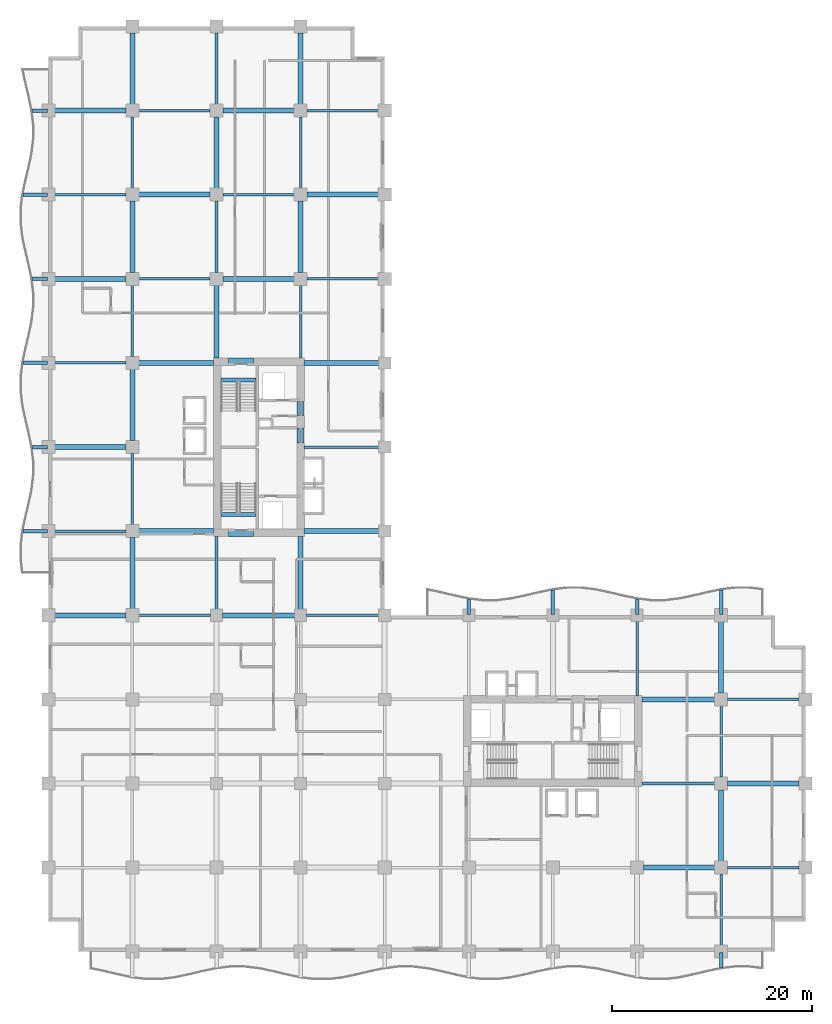
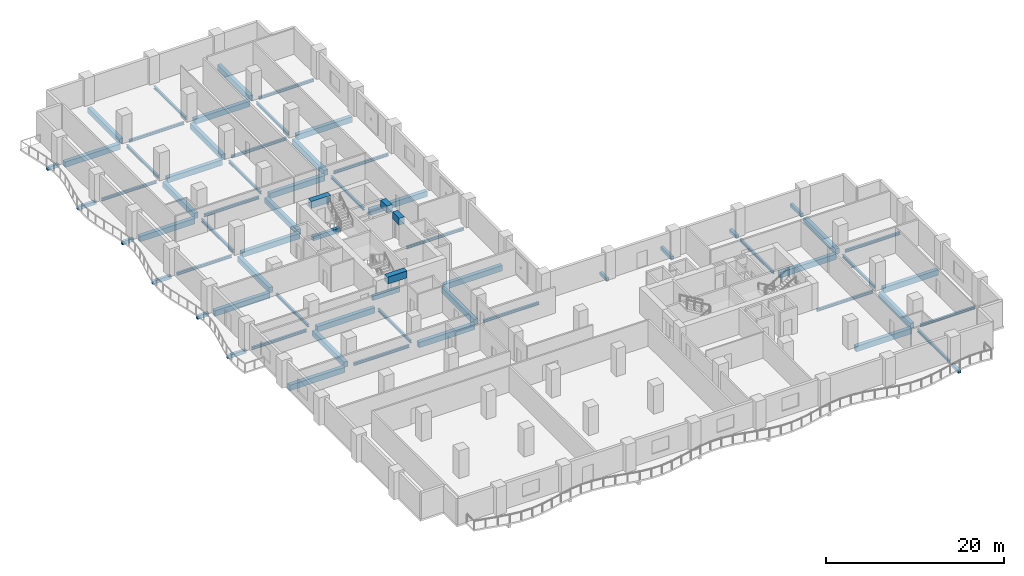
# One storey, part 2 of 15: 69 beams.
"""IFC4 building model written with IfcOpenShell, lengths in metres."""

import ifcopenshell
import ifcopenshell.guid

model = None  # the IFC model being written
_history = None  # IfcOwnerHistory: only IFC2X3 demands one
_inside = {}  # id of a spatial element -> (the spatial element, [elements in it])
_under = {}  # id of a project, library or spatial element -> (it, [spatial elements below it])
_declared = {}  # id of a project -> (the project, [libraries it declares])
_typed = {}  # id of a type object -> (the type object, [elements of that type])
_made_of = {}  # id of a material, layer set ... -> (it, [elements and type objects made of it])


def new_model(schema):
    """Start an empty IFC model of exactly this schema.

    Asked for "IFC4X3", IfcOpenShell would pick the latest addendum, in which some entities
    have other attributes; the version numbers below select the first issue.
    IFC2X3 requires an IfcOwnerHistory on every rooted entity: one is made here for all.
    """
    global model, _history
    if schema == "IFC4X3":
        model = ifcopenshell.file(schema_version=(4, 3, 0, 0))
    else:
        model = ifcopenshell.file(schema=schema)
    _inside.clear()
    _under.clear()
    _declared.clear()
    _typed.clear()
    _made_of.clear()
    _history = None
    if model.schema == "IFC2X3":
        org = make("IfcOrganization", Name="unknown")
        user = make(
            "IfcPersonAndOrganization",
            ThePerson=make("IfcPerson", FamilyName="unknown"),
            TheOrganization=org,
        )
        app = make(
            "IfcApplication",
            ApplicationDeveloper=org,
            Version="unknown",
            ApplicationFullName="unknown",
            ApplicationIdentifier="unknown",
        )
        _history = make(
            "IfcOwnerHistory",
            OwningUser=user,
            OwningApplication=app,
            ChangeAction="ADDED",
            CreationDate=0,
        )
    return model


def make(cls, **values):
    """One entity of the class cls with the attributes given. An attribute that is None is left unset."""
    return model.create_entity(
        cls, **{name: value for name, value in values.items() if value is not None}
    )


def rooted(cls, **values):
    """An entity with a GlobalId (a new one), such as an element, a storey or a relation."""
    return make(cls, GlobalId=ifcopenshell.guid.new(), OwnerHistory=_history, **values)


def si_unit(unit_type, name, prefix=None):
    """IfcSIUnit, for example si_unit("LENGTHUNIT", "METRE", prefix="MILLI")."""
    return make("IfcSIUnit", UnitType=unit_type, Prefix=prefix, Name=name)


def assignment(units):
    """IfcUnitAssignment: the units of a project."""
    return None if units is None else make("IfcUnitAssignment", Units=units)


def point(xyz):
    """IfcCartesianPoint."""
    return None if xyz is None else make("IfcCartesianPoint", Coordinates=xyz)


def direction(xyz):
    """IfcDirection."""
    return None if xyz is None else make("IfcDirection", DirectionRatios=xyz)


def frame(location, z_axis=None, x_axis=None):
    """IfcAxis2Placement3D, a coordinate frame: its origin and axes. An axis left out is left unset."""
    return make(
        "IfcAxis2Placement3D",
        Location=point(location),
        Axis=direction(z_axis),
        RefDirection=direction(x_axis),
    )


def frame_2d(location, x_axis=None):
    """IfcAxis2Placement2D, a coordinate frame in the plane: its origin and x axis."""
    return make(
        "IfcAxis2Placement2D", Location=point(location), RefDirection=direction(x_axis)
    )


def origin():
    """The frame at (0, 0, 0) with its axes left unset."""
    return frame((0.0, 0.0, 0.0))


def origin_2d():
    """The frame at (0, 0) in the plane with its x axis left unset."""
    return frame_2d((0.0, 0.0))


def place(relative_to, where):
    """IfcLocalPlacement: puts the frame where relative to a parent placement (None: the world)."""
    return make(
        "IfcLocalPlacement", PlacementRelTo=relative_to, RelativePlacement=where
    )


def context(
    kind, dimensions, precision=None, world=None, true_north=None, identifier=None
):
    """IfcGeometricRepresentationContext, for example the 3D "Model" context."""
    return make(
        "IfcGeometricRepresentationContext",
        ContextIdentifier=identifier,
        ContextType=kind,
        CoordinateSpaceDimension=dimensions,
        Precision=precision,
        WorldCoordinateSystem=world,
        TrueNorth=true_north,
    )


def subcontext(parent, identifier, kind, view, scale=None):
    """IfcGeometricRepresentationSubContext, for example "Body" below "Model"."""
    return make(
        "IfcGeometricRepresentationSubContext",
        ContextIdentifier=identifier,
        ContextType=kind,
        ParentContext=parent,
        TargetScale=scale,
        TargetView=view,
    )


def project(units=None, contexts=None):
    """IfcProject with its units and contexts."""
    return rooted(
        "IfcProject",
        Name="project",
        RepresentationContexts=contexts,
        UnitsInContext=assignment(units),
    )


def spatial(cls, under=None, at=None, **own):
    """A site, building, storey or space (cls), placed at a placement, below another one or the project."""
    s = rooted(cls, ObjectPlacement=at, **own)
    if under is not None:
        _under.setdefault(under.id(), (under, []))[1].append(s)
    return s


def profile(cls, at=None, kind="AREA", **sizes):
    """A parametric profile (cls). Its sizes go by their IFC names, for example OverallWidth=200.0."""
    return make(cls, ProfileType=kind, Position=at, **sizes)


def rectangle(**sizes):
    """IfcRectangleProfileDef."""
    return profile("IfcRectangleProfileDef", **sizes)


def i_section(**sizes):
    """IfcIShapeProfileDef."""
    return profile("IfcIShapeProfileDef", **sizes)


def extrude(swept, where, along, depth):
    """IfcExtrudedAreaSolid: the profile swept, set in the frame where, extruded along a direction by depth."""
    return make(
        "IfcExtrudedAreaSolid",
        SweptArea=swept,
        Position=where,
        ExtrudedDirection=direction(along),
        Depth=depth,
    )


def shape(context_of_items, identifier, shape_type, items):
    """IfcShapeRepresentation: the items that make up one representation, for example the "Body"."""
    return make(
        "IfcShapeRepresentation",
        ContextOfItems=context_of_items,
        RepresentationIdentifier=identifier,
        RepresentationType=shape_type,
        Items=items,
    )


def material(Name=None, Category=None):
    """IfcMaterial."""
    return make("IfcMaterial", Name=Name, Category=Category)


def material_profile(
    of_material, cross_section, Name=None, Category=None, Priority=None
):
    """IfcMaterialProfile: a cross section and its material."""
    return make(
        "IfcMaterialProfile",
        Name=Name,
        Material=of_material,
        Profile=cross_section,
        Priority=Priority,
        Category=Category,
    )


def profile_set(profiles, Name=None, composite=None):
    """IfcMaterialProfileSet."""
    return make(
        "IfcMaterialProfileSet",
        Name=Name,
        MaterialProfiles=profiles,
        CompositeProfile=composite,
    )


def made_of(thing, what):
    """Note that an element or type object is made of a material, layer set ...; save() writes the relation."""
    if what is not None:
        _made_of.setdefault(what.id(), (what, []))[1].append(thing)
    return thing


def type_object(cls, material=None, **own):
    """A type object (cls), such as IfcWallType, which elements share."""
    return made_of(rooted(cls, **own), material)


def element(
    cls,
    number,
    at=None,
    inside=None,
    cuts=None,
    type_object=None,
    material=None,
    context=None,
    identifier="Body",
    shape_type=None,
    held_by="IfcProductDefinitionShape",
    body=None,
    shapes=None,
    **own,
):
    """One element of the class cls, such as IfcWall. Its Tag is "e" and its number.

    at: its placement. inside: the storey or other place that contains it. cuts: it is an
    opening in that element (IfcRelVoidsElement). A single representation is given by context,
    identifier, shape_type and body (its items); several are given by shapes. held_by: the class
    of the entity that holds the representations. save() writes the other relations.
    """
    e = rooted(cls, Tag="e%d" % number, ObjectPlacement=at, **own)
    if body is not None:
        shapes = [shape(context, identifier, shape_type, body)]
    if shapes is not None:
        e.Representation = make(held_by, Representations=shapes)
    if inside is not None:
        _inside.setdefault(inside.id(), (inside, []))[1].append(e)
    if cuts is not None:
        rooted(
            "IfcRelVoidsElement", RelatingBuildingElement=cuts, RelatedOpeningElement=e
        )
    if type_object is not None:
        _typed.setdefault(type_object.id(), (type_object, []))[1].append(e)
    return made_of(e, material)


def aggregate(whole, parts):
    """IfcRelAggregates: a whole, such as a stair, and the parts it consists of."""
    return rooted("IfcRelAggregates", RelatingObject=whole, RelatedObjects=parts)


def save(model, path):
    """Write the relations noted so far, then the file.

    IfcRelAggregates (storeys below a building ...), IfcRelContainedInSpatialStructure (elements
    in a storey), IfcRelDefinesByType, IfcRelAssociatesMaterial and IfcRelDeclares: one each for
    every whole, place, type object, material and project.
    """
    for whole, parts in _under.values():
        aggregate(whole, parts)
    for where, things in _inside.values():
        rooted(
            "IfcRelContainedInSpatialStructure",
            RelatedElements=things,
            RelatingStructure=where,
        )
    for kind, things in _typed.values():
        rooted("IfcRelDefinesByType", RelatedObjects=things, RelatingType=kind)
    for what, things in _made_of.values():
        rooted("IfcRelAssociatesMaterial", RelatedObjects=things, RelatingMaterial=what)
    for by, libraries in _declared.values():
        rooted("IfcRelDeclares", RelatingContext=by, RelatedDefinitions=libraries)
    model.write(path)


model = new_model("IFC4")

# Units and contexts
model_context = context("Model", 3, precision=1e-05, world=origin(), true_north=direction((0.0, 1.0)))
body_context = subcontext(model_context, "Body", "Model", "MODEL_VIEW")
ifc_project = project(units=[si_unit("LENGTHUNIT", "METRE"), si_unit("AREAUNIT", "SQUARE_METRE"), si_unit("VOLUMEUNIT", "CUBIC_METRE"), si_unit("PLANEANGLEUNIT", "RADIAN"), si_unit("MASSUNIT", "GRAM", prefix="KILO")], contexts=[model_context])

# Site, building, storey
site_placement = place(None, origin())
site = spatial("IfcSite", under=ifc_project, at=site_placement, CompositionType="ELEMENT")
building_placement = place(site_placement, origin())
building = spatial("IfcBuilding", under=site, at=building_placement, Name="Koriwani Terraces Tower", CompositionType="ELEMENT")
storey_placement = place(building_placement, frame((0.0, 0.0, 138.0)))
storey = spatial("IfcBuildingStorey", under=building, at=storey_placement, Name="L33", CompositionType="ELEMENT", Elevation=138.0)

# Beams
ifc_material_1 = material(Name="Concrete C40/50", Category="concrete")
ifc_material_profile_1 = material_profile(ifc_material_1, rectangle(XDim=0.35009765625, YDim=0.449951171875, at=origin_2d()), Name="Concrete C40/50", Category="LoadBearing")
ifc_profile_set_1 = profile_set([ifc_material_profile_1], Name="Concrete C40/50")
beam_type_1 = type_object("IfcBeamType", Name="BEAM_RC_BALCONY_RIB_350X450", PredefinedType="JOIST", material=ifc_profile_set_1)
beam_1_placement = place(storey_placement, frame((67.199951171875, -1.59033203125, -0.47509765625), z_axis=(0.0, 1.0, 0.0), x_axis=(-1.0, 0.0, 0.0)))
element("IfcBeam", 1, at=beam_1_placement, inside=storey, type_object=beam_type_1, Name="L33 Balcony Bracket Rib S-8", PredefinedType="JOIST", context=body_context, shape_type="SweptSolid", body=[
    extrude(rectangle(XDim=0.35009765625, YDim=0.449951171875, at=origin_2d()), origin(), (0.0, 0.0, 1.0), 1.490234375),
])
beam_2_placement = place(storey_placement, frame((-2.509521484375, 42.0, -0.47509765625), z_axis=(1.0, 0.0, 0.0), x_axis=(0.0, 1.0, 0.0)))
element("IfcBeam", 2, at=beam_2_placement, inside=storey, type_object=beam_type_1, Name="L33 Balcony Bracket Rib W-1", PredefinedType="JOIST", context=body_context, shape_type="SweptSolid", body=[
    extrude(rectangle(XDim=0.35009765625, YDim=0.449951171875, at=origin_2d()), origin(), (0.0, 0.0, 1.0), 2.409423828125),
])
beam_3_placement = place(storey_placement, frame((-1.59033203125, 50.39990234375, -0.47509765625), z_axis=(1.0, 0.0, 0.0), x_axis=(0.0, 1.0, 0.0)))
element("IfcBeam", 3, at=beam_3_placement, inside=storey, type_object=beam_type_1, Name="L33 Balcony Bracket Rib W-2", PredefinedType="JOIST", context=body_context, shape_type="SweptSolid", body=[
    extrude(rectangle(XDim=0.35009765625, YDim=0.449951171875, at=origin_2d()), origin(), (0.0, 0.0, 1.0), 1.490234375),
])
beam_4_placement = place(storey_placement, frame((-2.509521484375, 58.800048828125, -0.47509765625), z_axis=(1.0, 0.0, 0.0), x_axis=(0.0, 1.0, 0.0)))
element("IfcBeam", 4, at=beam_4_placement, inside=storey, type_object=beam_type_1, Name="L33 Balcony Bracket Rib W-3", PredefinedType="JOIST", context=body_context, shape_type="SweptSolid", body=[
    extrude(rectangle(XDim=0.35009765625, YDim=0.449951171875, at=origin_2d()), origin(), (0.0, 0.0, 1.0), 2.409423828125),
])
beam_5_placement = place(storey_placement, frame((-1.59033203125, 67.199951171875, -0.47509765625), z_axis=(1.0, 0.0, 0.0), x_axis=(0.0, 1.0, 0.0)))
element("IfcBeam", 5, at=beam_5_placement, inside=storey, type_object=beam_type_1, Name="L33 Balcony Bracket Rib W-4", PredefinedType="JOIST", context=body_context, shape_type="SweptSolid", body=[
    extrude(rectangle(XDim=0.35009765625, YDim=0.449951171875, at=origin_2d()), origin(), (0.0, 0.0, 1.0), 1.490234375),
])
beam_6_placement = place(storey_placement, frame((-2.509521484375, 75.60009765625, -0.47509765625), z_axis=(1.0, 0.0, 0.0), x_axis=(0.0, 1.0, 0.0)))
element("IfcBeam", 6, at=beam_6_placement, inside=storey, type_object=beam_type_1, Name="L33 Balcony Bracket Rib W-5", PredefinedType="JOIST", context=body_context, shape_type="SweptSolid", body=[
    extrude(rectangle(XDim=0.35009765625, YDim=0.449951171875, at=origin_2d()), origin(), (0.0, 0.0, 1.0), 2.409423828125),
])
beam_7_placement = place(storey_placement, frame((-1.59033203125, 84.0, -0.47509765625), z_axis=(1.0, 0.0, 0.0), x_axis=(0.0, 1.0, 0.0)))
element("IfcBeam", 7, at=beam_7_placement, inside=storey, type_object=beam_type_1, Name="L33 Balcony Bracket Rib W-6", PredefinedType="JOIST", context=body_context, shape_type="SweptSolid", body=[
    extrude(rectangle(XDim=0.35009765625, YDim=0.449951171875, at=origin_2d()), origin(), (0.0, 0.0, 1.0), 1.490234375),
])
beam_8_placement = place(storey_placement, frame((42.0, 33.699951171875, -0.47509765625), z_axis=(0.0, 1.0, 0.0), x_axis=(-1.0, 0.0, 0.0)))
element("IfcBeam", 8, at=beam_8_placement, inside=storey, type_object=beam_type_1, Name="L33 Balcony Bracket Rib NE-1", PredefinedType="JOIST", context=body_context, shape_type="SweptSolid", body=[
    extrude(rectangle(XDim=0.35009765625, YDim=0.449951171875, at=origin_2d()), origin(), (0.0, 0.0, 1.0), 1.490478515625),
])
beam_9_placement = place(storey_placement, frame((50.39990234375, 33.699951171875, -0.47509765625), z_axis=(0.0, 1.0, 0.0), x_axis=(-1.0, 0.0, 0.0)))
element("IfcBeam", 9, at=beam_9_placement, inside=storey, type_object=beam_type_1, Name="L33 Balcony Bracket Rib NE-2", PredefinedType="JOIST", context=body_context, shape_type="SweptSolid", body=[
    extrude(rectangle(XDim=0.35009765625, YDim=0.449951171875, at=origin_2d()), origin(), (0.0, 0.0, 1.0), 2.40966796875),
])
beam_10_placement = place(storey_placement, frame((58.800048828125, 33.699951171875, -0.47509765625), z_axis=(0.0, 1.0, 0.0), x_axis=(-1.0, 0.0, 0.0)))
element("IfcBeam", 10, at=beam_10_placement, inside=storey, type_object=beam_type_1, Name="L33 Balcony Bracket Rib NE-3", PredefinedType="JOIST", context=body_context, shape_type="SweptSolid", body=[
    extrude(rectangle(XDim=0.35009765625, YDim=0.449951171875, at=origin_2d()), origin(), (0.0, 0.0, 1.0), 1.490478515625),
])
beam_11_placement = place(storey_placement, frame((67.199951171875, 33.699951171875, -0.47509765625), z_axis=(0.0, 1.0, 0.0), x_axis=(-1.0, 0.0, 0.0)))
element("IfcBeam", 11, at=beam_11_placement, inside=storey, type_object=beam_type_1, Name="L33 Balcony Bracket Rib NE-4", PredefinedType="JOIST", context=body_context, shape_type="SweptSolid", body=[
    extrude(rectangle(XDim=0.35009765625, YDim=0.449951171875, at=origin_2d()), origin(), (0.0, 0.0, 1.0), 2.40966796875),
])
ifc_material_2 = material(Name="Concrete C60/75", Category="concrete")
ifc_material_profile_2 = material_profile(ifc_material_2, rectangle(XDim=0.699951171875, YDim=0.949951171875, at=origin_2d()), Name="Concrete C60/75", Category="LoadBearing")
ifc_profile_set_2 = profile_set([ifc_material_profile_2], Name="Concrete C60/75")
beam_type_2 = type_object("IfcBeamType", Name="BEAM_RC_COUPLING_700X950", PredefinedType="LINTEL", material=ifc_profile_set_2)
beam_12_placement = place(storey_placement, frame((25.199951171875, 50.800048828125, 3.074951171875), z_axis=(0.0, 1.0, 0.0), x_axis=(-1.0, 0.0, 0.0)))
element("IfcBeam", 12, at=beam_12_placement, inside=storey, type_object=beam_type_2, Name="L33 Core Coupling Lintel Beam WE1", PredefinedType="LINTEL", context=body_context, shape_type="SweptSolid", body=[
    extrude(rectangle(XDim=0.699951171875, YDim=0.949951171875, at=origin_2d()), origin(), (0.0, 0.0, 1.0), 1.47998046875),
])
beam_13_placement = place(storey_placement, frame((25.199951171875, 53.550048828125, 3.074951171875), z_axis=(0.0, 1.0, 0.0), x_axis=(-1.0, 0.0, 0.0)))
element("IfcBeam", 13, at=beam_13_placement, inside=storey, type_object=beam_type_2, Name="L33 Core Coupling Lintel Beam WE2", PredefinedType="LINTEL", context=body_context, shape_type="SweptSolid", body=[
    extrude(rectangle(XDim=0.699951171875, YDim=0.949951171875, at=origin_2d()), origin(), (0.0, 0.0, 1.0), 1.39990234375),
])
for number, where, z_axis, x_axis, name in (
    (14, (18.0, 41.824951171875, 3.074951171875), (1.0, 0.0, 0.0), (0.0, 1.0, 0.0), "L33 Core Coupling Lintel Beam WS"),
    (15, (18.0, 58.925048828125, 3.074951171875), (1.0, 0.0, 0.0), (0.0, 1.0, 0.0), "L33 Core Coupling Lintel Beam WN"),
):
    element("IfcBeam", number, at=place(storey_placement, frame(where, z_axis=z_axis, x_axis=x_axis)), inside=storey, type_object=beam_type_2, Name=name, PredefinedType="LINTEL", context=body_context, shape_type="SweptSolid", body=[
        extrude(rectangle(XDim=0.699951171875, YDim=0.949951171875, at=origin_2d()), origin(), (0.0, 0.0, 1.0), 2.5),
    ])
ifc_material_profile_3 = material_profile(ifc_material_1, rectangle(XDim=0.39990234375, YDim=0.60009765625, at=origin_2d()), Name="Concrete C40/50", Category="LoadBearing")
ifc_profile_set_3 = profile_set([ifc_material_profile_3], Name="Concrete C40/50")
beam_type_3 = type_object("IfcBeamType", Name="BEAM_RC_GRID_400X600", PredefinedType="BEAM", material=ifc_profile_set_3)
for number, where, z_axis, x_axis, name in (
    (16, (17.25, 43.655029296875, -0.300048828125), (1.0, 0.0, 0.0), (0.0, 1.0, 0.0), "L33 Stairwell Header Trimmer Beam ST-W1"),
    (17, (17.25, 57.094970703125, -0.300048828125), (1.0, 0.0, 0.0), (0.0, 1.0, 0.0), "L33 Stairwell Header Trimmer Beam ST-W2"),
):
    element("IfcBeam", number, at=place(storey_placement, frame(where, z_axis=z_axis, x_axis=x_axis)), inside=storey, type_object=beam_type_3, Name=name, PredefinedType="BEAM", context=body_context, shape_type="SweptSolid", body=[
        extrude(rectangle(XDim=0.39990234375, YDim=0.60009765625, at=origin_2d()), origin(), (0.0, 0.0, 1.0), 3.5),
    ])
ifc_material_3 = material(Name="Concrete C50/60", Category="concrete")
ifc_material_profile_4 = material_profile(ifc_material_3, rectangle(XDim=0.5, YDim=0.75, at=origin_2d()), Name="Concrete C50/60", Category="LoadBearing")
ifc_profile_set_4 = profile_set([ifc_material_profile_4], Name="Concrete C50/60")
beam_type_4 = type_object("IfcBeamType", Name="BEAM_RC_GRID_500X750", PredefinedType="BEAM", material=ifc_profile_set_4)
beam_14_placement = place(storey_placement, frame((59.429931640625, 8.39990234375, -0.625), z_axis=(1.0, 0.0, 0.0), x_axis=(0.0, 1.0, 0.0)))
element("IfcBeam", 18, at=beam_14_placement, inside=storey, type_object=beam_type_4, Name="L33 Grid Beam B (58.8-67.2m)", PredefinedType="BEAM", context=body_context, shape_type="SweptSolid", body=[
    extrude(rectangle(XDim=0.5, YDim=0.75, at=origin_2d()), origin(), (0.0, 0.0, 1.0), 7.14013671875),
])
beam_15_placement = place(storey_placement, frame((67.830078125, 16.800048828125, -0.625), z_axis=(1.0, 0.0, 0.0), x_axis=(0.0, 1.0, 0.0)))
element("IfcBeam", 19, at=beam_15_placement, inside=storey, type_object=beam_type_4, Name="L33 Grid Beam C (67.2-75.6m)", PredefinedType="BEAM", context=body_context, shape_type="SweptSolid", body=[
    extrude(rectangle(XDim=0.5, YDim=0.75, at=origin_2d()), origin(), (0.0, 0.0, 1.0), 7.139892578125),
])
beam_16_placement = place(storey_placement, frame((59.280029296875, 25.199951171875, -0.625), z_axis=(1.0, 0.0, 0.0), x_axis=(0.0, 1.0, 0.0)))
element("IfcBeam", 20, at=beam_16_placement, inside=storey, type_object=beam_type_4, Name="L33 Grid Beam D (58.8-67.2m)", PredefinedType="BEAM", context=body_context, shape_type="SweptSolid", body=[
    extrude(rectangle(XDim=0.5, YDim=0.75, at=origin_2d()), origin(), (0.0, 0.0, 1.0), 7.2900390625),
])
beam_17_placement = place(storey_placement, frame((0.6298828125, 33.60009765625, -0.625), z_axis=(1.0, 0.0, 0.0), x_axis=(0.0, 1.0, 0.0)))
element("IfcBeam", 21, at=beam_17_placement, inside=storey, type_object=beam_type_4, Name="L33 Grid Beam E (0.0-8.4m)", PredefinedType="BEAM", context=body_context, shape_type="SweptSolid", body=[
    extrude(rectangle(XDim=0.5, YDim=0.75, at=origin_2d()), origin(), (0.0, 0.0, 1.0), 7.14013671875),
])
beam_18_placement = place(storey_placement, frame((17.3798828125, 33.60009765625, -0.625), z_axis=(1.0, 0.0, 0.0), x_axis=(0.0, 1.0, 0.0)))
element("IfcBeam", 22, at=beam_18_placement, inside=storey, type_object=beam_type_4, Name="L33 Grid Beam E (16.8-25.2m)", PredefinedType="BEAM", context=body_context, shape_type="SweptSolid", body=[
    extrude(rectangle(XDim=0.5, YDim=0.75, at=origin_2d()), origin(), (0.0, 0.0, 1.0), 7.240234375),
])
beam_19_placement = place(storey_placement, frame((9.030029296875, 42.0, -0.625), z_axis=(1.0, 0.0, 0.0), x_axis=(0.0, 1.0, 0.0)))
element("IfcBeam", 23, at=beam_19_placement, inside=storey, type_object=beam_type_4, Name="L33 Grid Beam F (8.4-16.8m)", PredefinedType="BEAM", context=body_context, shape_type="SweptSolid", body=[
    extrude(rectangle(XDim=0.5, YDim=0.75, at=origin_2d()), origin(), (0.0, 0.0, 1.0), 7.489990234375),
])
beam_20_placement = place(storey_placement, frame((25.554931640625, 42.0, -0.625), z_axis=(1.0, 0.0, 0.0), x_axis=(0.0, 1.0, 0.0)))
element("IfcBeam", 24, at=beam_20_placement, inside=storey, type_object=beam_type_4, Name="L33 Grid Beam F (25.2-33.6m)", PredefinedType="BEAM", context=body_context, shape_type="SweptSolid", body=[
    extrude(rectangle(XDim=0.5, YDim=0.75, at=origin_2d()), origin(), (0.0, 0.0, 1.0), 7.465087890625),
])
beam_21_placement = place(storey_placement, frame((0.6298828125, 50.39990234375, -0.625), z_axis=(1.0, 0.0, 0.0), x_axis=(0.0, 1.0, 0.0)))
element("IfcBeam", 25, at=beam_21_placement, inside=storey, type_object=beam_type_4, Name="L33 Grid Beam G (0.0-8.4m)", PredefinedType="BEAM", context=body_context, shape_type="SweptSolid", body=[
    extrude(rectangle(XDim=0.5, YDim=0.75, at=origin_2d()), origin(), (0.0, 0.0, 1.0), 7.14013671875),
])
beam_22_placement = place(storey_placement, frame((9.030029296875, 58.800048828125, -0.625), z_axis=(1.0, 0.0, 0.0), x_axis=(0.0, 1.0, 0.0)))
element("IfcBeam", 26, at=beam_22_placement, inside=storey, type_object=beam_type_4, Name="L33 Grid Beam H (8.4-16.8m)", PredefinedType="BEAM", context=body_context, shape_type="SweptSolid", body=[
    extrude(rectangle(XDim=0.5, YDim=0.75, at=origin_2d()), origin(), (0.0, 0.0, 1.0), 7.489990234375),
])
beam_23_placement = place(storey_placement, frame((25.554931640625, 58.800048828125, -0.625), z_axis=(1.0, 0.0, 0.0), x_axis=(0.0, 1.0, 0.0)))
element("IfcBeam", 27, at=beam_23_placement, inside=storey, type_object=beam_type_4, Name="L33 Grid Beam H (25.2-33.6m)", PredefinedType="BEAM", context=body_context, shape_type="SweptSolid", body=[
    extrude(rectangle(XDim=0.5, YDim=0.75, at=origin_2d()), origin(), (0.0, 0.0, 1.0), 7.465087890625),
])
for number, where, z_axis, x_axis, name in (
    (28, (0.6298828125, 67.199951171875, -0.625), (1.0, 0.0, 0.0), (0.0, 1.0, 0.0), "L33 Grid Beam I (0.0-8.4m)"),
    (29, (17.429931640625, 67.199951171875, -0.625), (1.0, 0.0, 0.0), (0.0, 1.0, 0.0), "L33 Grid Beam I (16.8-25.2m)"),
):
    element("IfcBeam", number, at=place(storey_placement, frame(where, z_axis=z_axis, x_axis=x_axis)), inside=storey, type_object=beam_type_4, Name=name, PredefinedType="BEAM", context=body_context, shape_type="SweptSolid", body=[
        extrude(rectangle(XDim=0.5, YDim=0.75, at=origin_2d()), origin(), (0.0, 0.0, 1.0), 7.14013671875),
    ])
for number, where, z_axis, x_axis, name in (
    (30, (9.030029296875, 75.60009765625, -0.625), (1.0, 0.0, 0.0), (0.0, 1.0, 0.0), "L33 Grid Beam J (8.4-16.8m)"),
    (31, (25.830078125, 75.60009765625, -0.625), (1.0, 0.0, 0.0), (0.0, 1.0, 0.0), "L33 Grid Beam J (25.2-33.6m)"),
):
    element("IfcBeam", number, at=place(storey_placement, frame(where, z_axis=z_axis, x_axis=x_axis)), inside=storey, type_object=beam_type_4, Name=name, PredefinedType="BEAM", context=body_context, shape_type="SweptSolid", body=[
        extrude(rectangle(XDim=0.5, YDim=0.75, at=origin_2d()), origin(), (0.0, 0.0, 1.0), 7.139892578125),
    ])
for number, where, z_axis, x_axis, name in (
    (32, (0.6298828125, 84.0, -0.625), (1.0, 0.0, 0.0), (0.0, 1.0, 0.0), "L33 Grid Beam K (0.0-8.4m)"),
    (33, (17.429931640625, 84.0, -0.625), (1.0, 0.0, 0.0), (0.0, 1.0, 0.0), "L33 Grid Beam K (16.8-25.2m)"),
    (34, (8.39990234375, 34.22998046875, -0.625), (0.0, 1.0, 0.0), (-1.0, 0.0, 0.0), "L33 Grid Beam 2 (33.6-42.0m)"),
):
    element("IfcBeam", number, at=place(storey_placement, frame(where, z_axis=z_axis, x_axis=x_axis)), inside=storey, type_object=beam_type_4, Name=name, PredefinedType="BEAM", context=body_context, shape_type="SweptSolid", body=[
        extrude(rectangle(XDim=0.5, YDim=0.75, at=origin_2d()), origin(), (0.0, 0.0, 1.0), 7.14013671875),
    ])
for number, where, z_axis, x_axis, name in (
    (35, (8.39990234375, 51.030029296875, -0.625), (0.0, 1.0, 0.0), (-1.0, 0.0, 0.0), "L33 Grid Beam 2 (50.4-58.8m)"),
    (36, (8.39990234375, 67.830078125, -0.625), (0.0, 1.0, 0.0), (-1.0, 0.0, 0.0), "L33 Grid Beam 2 (67.2-75.6m)"),
):
    element("IfcBeam", number, at=place(storey_placement, frame(where, z_axis=z_axis, x_axis=x_axis)), inside=storey, type_object=beam_type_4, Name=name, PredefinedType="BEAM", context=body_context, shape_type="SweptSolid", body=[
        extrude(rectangle(XDim=0.5, YDim=0.75, at=origin_2d()), origin(), (0.0, 0.0, 1.0), 7.139892578125),
    ])
beam_24_placement = place(storey_placement, frame((8.39990234375, 84.6298828125, -0.625), z_axis=(0.0, 1.0, 0.0), x_axis=(-1.0, 0.0, 0.0)))
element("IfcBeam", 37, at=beam_24_placement, inside=storey, type_object=beam_type_4, Name="L33 Grid Beam 2 (84.0-92.4m)", PredefinedType="BEAM", context=body_context, shape_type="SweptSolid", body=[
    extrude(rectangle(XDim=0.5, YDim=0.75, at=origin_2d()), origin(), (0.0, 0.0, 1.0), 7.14013671875),
])
beam_25_placement = place(storey_placement, frame((16.800048828125, 59.280029296875, -0.625), z_axis=(0.0, 1.0, 0.0), x_axis=(-1.0, 0.0, 0.0)))
element("IfcBeam", 38, at=beam_25_placement, inside=storey, type_object=beam_type_4, Name="L33 Grid Beam 3 (58.8-67.2m)", PredefinedType="BEAM", context=body_context, shape_type="SweptSolid", body=[
    extrude(rectangle(XDim=0.5, YDim=0.75, at=origin_2d()), origin(), (0.0, 0.0, 1.0), 7.2900390625),
])
beam_26_placement = place(storey_placement, frame((16.800048828125, 76.22998046875, -0.625), z_axis=(0.0, 1.0, 0.0), x_axis=(-1.0, 0.0, 0.0)))
element("IfcBeam", 39, at=beam_26_placement, inside=storey, type_object=beam_type_4, Name="L33 Grid Beam 3 (75.6-84.0m)", PredefinedType="BEAM", context=body_context, shape_type="SweptSolid", body=[
    extrude(rectangle(XDim=0.5, YDim=0.75, at=origin_2d()), origin(), (0.0, 0.0, 1.0), 7.14013671875),
])
beam_27_placement = place(storey_placement, frame((25.199951171875, 34.179931640625, -0.625), z_axis=(0.0, 1.0, 0.0), x_axis=(-1.0, 0.0, 0.0)))
element("IfcBeam", 40, at=beam_27_placement, inside=storey, type_object=beam_type_4, Name="L33 Grid Beam 4 (33.6-42.0m)", PredefinedType="BEAM", context=body_context, shape_type="SweptSolid", body=[
    extrude(rectangle(XDim=0.5, YDim=0.75, at=origin_2d()), origin(), (0.0, 0.0, 1.0), 7.2900390625),
])
beam_28_placement = place(storey_placement, frame((25.199951171875, 67.830078125, -0.625), z_axis=(0.0, 1.0, 0.0), x_axis=(-1.0, 0.0, 0.0)))
element("IfcBeam", 41, at=beam_28_placement, inside=storey, type_object=beam_type_4, Name="L33 Grid Beam 4 (67.2-75.6m)", PredefinedType="BEAM", context=body_context, shape_type="SweptSolid", body=[
    extrude(rectangle(XDim=0.5, YDim=0.75, at=origin_2d()), origin(), (0.0, 0.0, 1.0), 7.139892578125),
])
beam_29_placement = place(storey_placement, frame((25.199951171875, 84.6298828125, -0.625), z_axis=(0.0, 1.0, 0.0), x_axis=(-1.0, 0.0, 0.0)))
element("IfcBeam", 42, at=beam_29_placement, inside=storey, type_object=beam_type_4, Name="L33 Grid Beam 4 (84.0-92.4m)", PredefinedType="BEAM", context=body_context, shape_type="SweptSolid", body=[
    extrude(rectangle(XDim=0.5, YDim=0.75, at=origin_2d()), origin(), (0.0, 0.0, 1.0), 7.14013671875),
])
for number, where, z_axis, x_axis, name in (
    (43, (67.199951171875, 9.030029296875, -0.625), (0.0, 1.0, 0.0), (-1.0, 0.0, 0.0), "L33 Grid Beam 9 (8.4-16.8m)"),
    (44, (67.199951171875, 25.830078125, -0.625), (0.0, 1.0, 0.0), (-1.0, 0.0, 0.0), "L33 Grid Beam 9 (25.2-33.6m)"),
):
    element("IfcBeam", number, at=place(storey_placement, frame(where, z_axis=z_axis, x_axis=x_axis)), inside=storey, type_object=beam_type_4, Name=name, PredefinedType="BEAM", context=body_context, shape_type="SweptSolid", body=[
        extrude(rectangle(XDim=0.5, YDim=0.75, at=origin_2d()), origin(), (0.0, 0.0, 1.0), 7.139892578125),
    ])
ifc_material_4 = material(Name="Steel ASTM A572 Grade 50", Category="steel")
ifc_material_profile_5 = material_profile(ifc_material_4, i_section(OverallWidth=0.257080078125, OverallDepth=0.363037109375, WebThickness=0.012939453125, FlangeThickness=0.021728515625, at=origin_2d()), Name="Steel ASTM A572 Grade 50", Category="LoadBearing")
ifc_profile_set_5 = profile_set([ifc_material_profile_5], Name="Steel ASTM A572 Grade 50")
beam_type_5 = type_object("IfcBeamType", Name="STEEL_BEAM_W360X122", PredefinedType="JOIST", material=ifc_profile_set_5)
beam_30_placement = place(storey_placement, frame((67.830078125, 8.39990234375, -0.431396484375), z_axis=(1.0, 0.0, 0.0), x_axis=(0.0, 1.0, 0.0)))
element("IfcBeam", 45, at=beam_30_placement, inside=storey, type_object=beam_type_5, Name="L33 Grid Beam B (67.2-75.6m)", PredefinedType="JOIST", context=body_context, shape_type="SweptSolid", body=[
    extrude(i_section(OverallWidth=0.257080078125, OverallDepth=0.363037109375, WebThickness=0.012939453125, FlangeThickness=0.021728515625, at=origin_2d()), origin(), (0.0, 0.0, 1.0), 7.139892578125),
])
beam_31_placement = place(storey_placement, frame((59.280029296875, 16.800048828125, -0.431396484375), z_axis=(1.0, 0.0, 0.0), x_axis=(0.0, 1.0, 0.0)))
element("IfcBeam", 46, at=beam_31_placement, inside=storey, type_object=beam_type_5, Name="L33 Grid Beam C (58.8-67.2m)", PredefinedType="JOIST", context=body_context, shape_type="SweptSolid", body=[
    extrude(i_section(OverallWidth=0.257080078125, OverallDepth=0.363037109375, WebThickness=0.012939453125, FlangeThickness=0.021728515625, at=origin_2d()), origin(), (0.0, 0.0, 1.0), 7.2900390625),
])
beam_32_placement = place(storey_placement, frame((67.830078125, 25.199951171875, -0.431396484375), z_axis=(1.0, 0.0, 0.0), x_axis=(0.0, 1.0, 0.0)))
element("IfcBeam", 47, at=beam_32_placement, inside=storey, type_object=beam_type_5, Name="L33 Grid Beam D (67.2-75.6m)", PredefinedType="JOIST", context=body_context, shape_type="SweptSolid", body=[
    extrude(i_section(OverallWidth=0.257080078125, OverallDepth=0.363037109375, WebThickness=0.012939453125, FlangeThickness=0.021728515625, at=origin_2d()), origin(), (0.0, 0.0, 1.0), 7.139892578125),
])
beam_33_placement = place(storey_placement, frame((9.030029296875, 33.60009765625, -0.431396484375), z_axis=(1.0, 0.0, 0.0), x_axis=(0.0, 1.0, 0.0)))
element("IfcBeam", 48, at=beam_33_placement, inside=storey, type_object=beam_type_5, Name="L33 Grid Beam E (8.4-16.8m)", PredefinedType="JOIST", context=body_context, shape_type="SweptSolid", body=[
    extrude(i_section(OverallWidth=0.257080078125, OverallDepth=0.363037109375, WebThickness=0.012939453125, FlangeThickness=0.021728515625, at=origin_2d()), origin(), (0.0, 0.0, 1.0), 7.18994140625),
])
beam_34_placement = place(storey_placement, frame((25.780029296875, 33.60009765625, -0.431396484375), z_axis=(1.0, 0.0, 0.0), x_axis=(0.0, 1.0, 0.0)))
element("IfcBeam", 49, at=beam_34_placement, inside=storey, type_object=beam_type_5, Name="L33 Grid Beam E (25.2-33.6m)", PredefinedType="JOIST", context=body_context, shape_type="SweptSolid", body=[
    extrude(i_section(OverallWidth=0.257080078125, OverallDepth=0.363037109375, WebThickness=0.012939453125, FlangeThickness=0.021728515625, at=origin_2d()), origin(), (0.0, 0.0, 1.0), 7.239990234375),
])
beam_35_placement = place(storey_placement, frame((0.6298828125, 42.0, -0.431396484375), z_axis=(1.0, 0.0, 0.0), x_axis=(0.0, 1.0, 0.0)))
element("IfcBeam", 50, at=beam_35_placement, inside=storey, type_object=beam_type_5, Name="L33 Grid Beam F (0.0-8.4m)", PredefinedType="JOIST", context=body_context, shape_type="SweptSolid", body=[
    extrude(i_section(OverallWidth=0.257080078125, OverallDepth=0.363037109375, WebThickness=0.012939453125, FlangeThickness=0.021728515625, at=origin_2d()), origin(), (0.0, 0.0, 1.0), 7.14013671875),
])
beam_36_placement = place(storey_placement, frame((25.554931640625, 50.39990234375, -0.431396484375), z_axis=(1.0, 0.0, 0.0), x_axis=(0.0, 1.0, 0.0)))
element("IfcBeam", 51, at=beam_36_placement, inside=storey, type_object=beam_type_5, Name="L33 Grid Beam G (25.2-33.6m)", PredefinedType="JOIST", context=body_context, shape_type="SweptSolid", body=[
    extrude(i_section(OverallWidth=0.257080078125, OverallDepth=0.363037109375, WebThickness=0.012939453125, FlangeThickness=0.021728515625, at=origin_2d()), origin(), (0.0, 0.0, 1.0), 7.465087890625),
])
beam_37_placement = place(storey_placement, frame((0.6298828125, 58.800048828125, -0.431396484375), z_axis=(1.0, 0.0, 0.0), x_axis=(0.0, 1.0, 0.0)))
element("IfcBeam", 52, at=beam_37_placement, inside=storey, type_object=beam_type_5, Name="L33 Grid Beam H (0.0-8.4m)", PredefinedType="JOIST", context=body_context, shape_type="SweptSolid", body=[
    extrude(i_section(OverallWidth=0.257080078125, OverallDepth=0.363037109375, WebThickness=0.012939453125, FlangeThickness=0.021728515625, at=origin_2d()), origin(), (0.0, 0.0, 1.0), 7.14013671875),
])
for number, where, z_axis, x_axis, name in (
    (53, (9.030029296875, 67.199951171875, -0.431396484375), (1.0, 0.0, 0.0), (0.0, 1.0, 0.0), "L33 Grid Beam I (8.4-16.8m)"),
    (54, (25.830078125, 67.199951171875, -0.431396484375), (1.0, 0.0, 0.0), (0.0, 1.0, 0.0), "L33 Grid Beam I (25.2-33.6m)"),
):
    element("IfcBeam", number, at=place(storey_placement, frame(where, z_axis=z_axis, x_axis=x_axis)), inside=storey, type_object=beam_type_5, Name=name, PredefinedType="JOIST", context=body_context, shape_type="SweptSolid", body=[
        extrude(i_section(OverallWidth=0.257080078125, OverallDepth=0.363037109375, WebThickness=0.012939453125, FlangeThickness=0.021728515625, at=origin_2d()), origin(), (0.0, 0.0, 1.0), 7.139892578125),
    ])
for number, where, z_axis, x_axis, name in (
    (55, (0.6298828125, 75.60009765625, -0.431396484375), (1.0, 0.0, 0.0), (0.0, 1.0, 0.0), "L33 Grid Beam J (0.0-8.4m)"),
    (56, (17.429931640625, 75.60009765625, -0.431396484375), (1.0, 0.0, 0.0), (0.0, 1.0, 0.0), "L33 Grid Beam J (16.8-25.2m)"),
):
    element("IfcBeam", number, at=place(storey_placement, frame(where, z_axis=z_axis, x_axis=x_axis)), inside=storey, type_object=beam_type_5, Name=name, PredefinedType="JOIST", context=body_context, shape_type="SweptSolid", body=[
        extrude(i_section(OverallWidth=0.257080078125, OverallDepth=0.363037109375, WebThickness=0.012939453125, FlangeThickness=0.021728515625, at=origin_2d()), origin(), (0.0, 0.0, 1.0), 7.14013671875),
    ])
for number, where, z_axis, x_axis, name in (
    (57, (9.030029296875, 84.0, -0.431396484375), (1.0, 0.0, 0.0), (0.0, 1.0, 0.0), "L33 Grid Beam K (8.4-16.8m)"),
    (58, (25.830078125, 84.0, -0.431396484375), (1.0, 0.0, 0.0), (0.0, 1.0, 0.0), "L33 Grid Beam K (25.2-33.6m)"),
):
    element("IfcBeam", number, at=place(storey_placement, frame(where, z_axis=z_axis, x_axis=x_axis)), inside=storey, type_object=beam_type_5, Name=name, PredefinedType="JOIST", context=body_context, shape_type="SweptSolid", body=[
        extrude(i_section(OverallWidth=0.257080078125, OverallDepth=0.363037109375, WebThickness=0.012939453125, FlangeThickness=0.021728515625, at=origin_2d()), origin(), (0.0, 0.0, 1.0), 7.139892578125),
    ])
for number, where, z_axis, x_axis, name in (
    (59, (8.39990234375, 42.6298828125, -0.431396484375), (0.0, 1.0, 0.0), (-1.0, 0.0, 0.0), "L33 Grid Beam 2 (42.0-50.4m)"),
    (60, (8.39990234375, 59.429931640625, -0.431396484375), (0.0, 1.0, 0.0), (-1.0, 0.0, 0.0), "L33 Grid Beam 2 (58.8-67.2m)"),
    (61, (8.39990234375, 76.22998046875, -0.431396484375), (0.0, 1.0, 0.0), (-1.0, 0.0, 0.0), "L33 Grid Beam 2 (75.6-84.0m)"),
):
    element("IfcBeam", number, at=place(storey_placement, frame(where, z_axis=z_axis, x_axis=x_axis)), inside=storey, type_object=beam_type_5, Name=name, PredefinedType="JOIST", context=body_context, shape_type="SweptSolid", body=[
        extrude(i_section(OverallWidth=0.257080078125, OverallDepth=0.363037109375, WebThickness=0.012939453125, FlangeThickness=0.021728515625, at=origin_2d()), origin(), (0.0, 0.0, 1.0), 7.14013671875),
    ])
beam_38_placement = place(storey_placement, frame((16.800048828125, 34.179931640625, -0.431396484375), z_axis=(0.0, 1.0, 0.0), x_axis=(-1.0, 0.0, 0.0)))
element("IfcBeam", 62, at=beam_38_placement, inside=storey, type_object=beam_type_5, Name="L33 Grid Beam 3 (33.6-42.0m)", PredefinedType="JOIST", context=body_context, shape_type="SweptSolid", body=[
    extrude(i_section(OverallWidth=0.257080078125, OverallDepth=0.363037109375, WebThickness=0.012939453125, FlangeThickness=0.021728515625, at=origin_2d()), origin(), (0.0, 0.0, 1.0), 7.2900390625),
])
beam_39_placement = place(storey_placement, frame((16.800048828125, 67.830078125, -0.431396484375), z_axis=(0.0, 1.0, 0.0), x_axis=(-1.0, 0.0, 0.0)))
element("IfcBeam", 63, at=beam_39_placement, inside=storey, type_object=beam_type_5, Name="L33 Grid Beam 3 (67.2-75.6m)", PredefinedType="JOIST", context=body_context, shape_type="SweptSolid", body=[
    extrude(i_section(OverallWidth=0.257080078125, OverallDepth=0.363037109375, WebThickness=0.012939453125, FlangeThickness=0.021728515625, at=origin_2d()), origin(), (0.0, 0.0, 1.0), 7.139892578125),
])
beam_40_placement = place(storey_placement, frame((16.800048828125, 84.6298828125, -0.431396484375), z_axis=(0.0, 1.0, 0.0), x_axis=(-1.0, 0.0, 0.0)))
element("IfcBeam", 64, at=beam_40_placement, inside=storey, type_object=beam_type_5, Name="L33 Grid Beam 3 (84.0-92.4m)", PredefinedType="JOIST", context=body_context, shape_type="SweptSolid", body=[
    extrude(i_section(OverallWidth=0.257080078125, OverallDepth=0.363037109375, WebThickness=0.012939453125, FlangeThickness=0.021728515625, at=origin_2d()), origin(), (0.0, 0.0, 1.0), 7.14013671875),
])
beam_41_placement = place(storey_placement, frame((25.199951171875, 59.280029296875, -0.431396484375), z_axis=(0.0, 1.0, 0.0), x_axis=(-1.0, 0.0, 0.0)))
element("IfcBeam", 65, at=beam_41_placement, inside=storey, type_object=beam_type_5, Name="L33 Grid Beam 4 (58.8-67.2m)", PredefinedType="JOIST", context=body_context, shape_type="SweptSolid", body=[
    extrude(i_section(OverallWidth=0.257080078125, OverallDepth=0.363037109375, WebThickness=0.012939453125, FlangeThickness=0.021728515625, at=origin_2d()), origin(), (0.0, 0.0, 1.0), 7.2900390625),
])
beam_42_placement = place(storey_placement, frame((25.199951171875, 76.22998046875, -0.431396484375), z_axis=(0.0, 1.0, 0.0), x_axis=(-1.0, 0.0, 0.0)))
element("IfcBeam", 66, at=beam_42_placement, inside=storey, type_object=beam_type_5, Name="L33 Grid Beam 4 (75.6-84.0m)", PredefinedType="JOIST", context=body_context, shape_type="SweptSolid", body=[
    extrude(i_section(OverallWidth=0.257080078125, OverallDepth=0.363037109375, WebThickness=0.012939453125, FlangeThickness=0.021728515625, at=origin_2d()), origin(), (0.0, 0.0, 1.0), 7.14013671875),
])
beam_43_placement = place(storey_placement, frame((58.800048828125, 25.554931640625, -0.431396484375), z_axis=(0.0, 1.0, 0.0), x_axis=(-1.0, 0.0, 0.0)))
element("IfcBeam", 67, at=beam_43_placement, inside=storey, type_object=beam_type_5, Name="L33 Grid Beam 8 (25.2-33.6m)", PredefinedType="JOIST", context=body_context, shape_type="SweptSolid", body=[
    extrude(i_section(OverallWidth=0.257080078125, OverallDepth=0.363037109375, WebThickness=0.012939453125, FlangeThickness=0.021728515625, at=origin_2d()), origin(), (0.0, 0.0, 1.0), 7.465087890625),
])
for number, where, z_axis, x_axis, name in (
    (68, (67.199951171875, 0.6298828125, -0.431396484375), (0.0, 1.0, 0.0), (-1.0, 0.0, 0.0), "L33 Grid Beam 9 (0.0-8.4m)"),
    (69, (67.199951171875, 17.429931640625, -0.431396484375), (0.0, 1.0, 0.0), (-1.0, 0.0, 0.0), "L33 Grid Beam 9 (16.8-25.2m)"),
):
    element("IfcBeam", number, at=place(storey_placement, frame(where, z_axis=z_axis, x_axis=x_axis)), inside=storey, type_object=beam_type_5, Name=name, PredefinedType="JOIST", context=body_context, shape_type="SweptSolid", body=[
        extrude(i_section(OverallWidth=0.257080078125, OverallDepth=0.363037109375, WebThickness=0.012939453125, FlangeThickness=0.021728515625, at=origin_2d()), origin(), (0.0, 0.0, 1.0), 7.14013671875),
    ])

save(model, "model.ifc")
